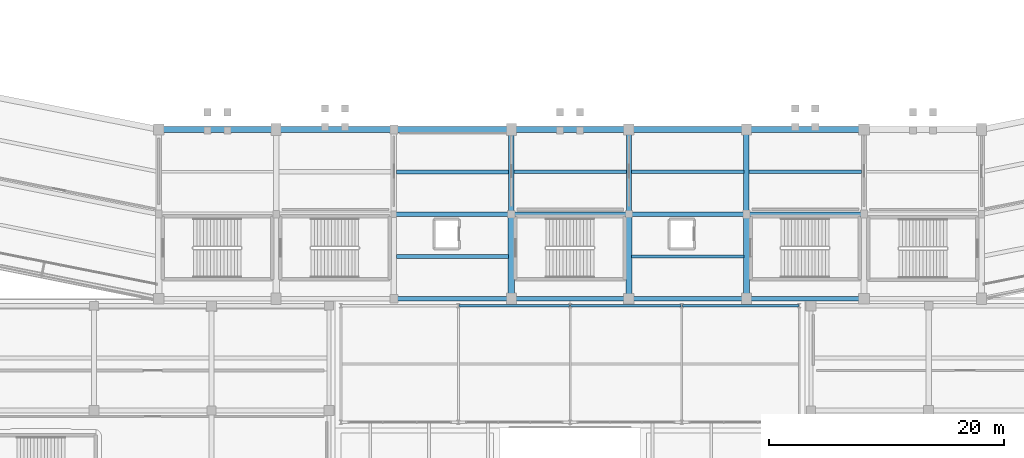
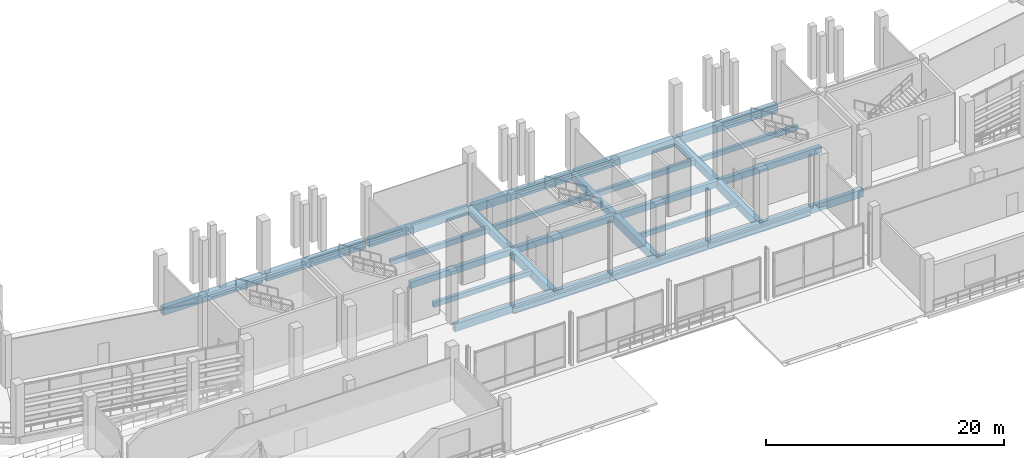
# One storey, part 24 of 114: 29 beams.
"""IFC4 building model written with IfcOpenShell, lengths in metres."""

from ifc_helpers import new_model, si_unit, direction, frame, origin, origin_2d, place, context, subcontext, project, spatial, rectangle, i_section, extrude, material, material_profile, profile_set, type_object, element, save


model = new_model("IFC4")

# Units and contexts
model_context = context("Model", 3, precision=1e-05, world=origin(), true_north=direction((0.0, 1.0)))
body_context = subcontext(model_context, "Body", "Model", "MODEL_VIEW")
ifc_project = project(units=[si_unit("LENGTHUNIT", "METRE"), si_unit("AREAUNIT", "SQUARE_METRE"), si_unit("VOLUMEUNIT", "CUBIC_METRE"), si_unit("PLANEANGLEUNIT", "RADIAN"), si_unit("MASSUNIT", "GRAM", prefix="KILO")], contexts=[model_context])

# Site, building, storey
site_placement = place(None, origin())
site = spatial("IfcSite", under=ifc_project, at=site_placement, CompositionType="ELEMENT")
building_placement = place(site_placement, origin())
building = spatial("IfcBuilding", under=site, at=building_placement, Name="Candeia Ridge Stadium", CompositionType="ELEMENT")
storey_placement = place(building_placement, frame((0.0, 0.0, 5.39990234375)))
storey = spatial("IfcBuildingStorey", under=building, at=storey_placement, Name="L01", CompositionType="ELEMENT", Elevation=5.39990234375)

# Beams
ifc_material_1 = material(Name="Concrete C45/55", Category="concrete")
ifc_material_profile_1 = material_profile(ifc_material_1, rectangle(XDim=0.449951171875, YDim=0.75, at=origin_2d()), Name="RC450x750", Category="concrete")
ifc_profile_set_1 = profile_set([ifc_material_profile_1], Name="Concrete C45/55")
beam_type_1 = type_object("IfcBeamType", Name="Bowl Radial Girder RC450x750", PredefinedType="BEAM", material=ifc_profile_set_1)
beam_1_placement = place(storey_placement, frame((111.0, 33.239990234375, -0.635009765625), z_axis=(0.0, -1.0, 0.0), x_axis=(1.0, 0.0, 0.0)))
element("IfcBeam", 1, at=beam_1_placement, inside=storey, type_object=beam_type_1, Name="Bowl radial girder BM-L01-0045", PredefinedType="BEAM", context=body_context, shape_type="SweptSolid", body=[
    extrude(rectangle(XDim=0.449951171875, YDim=0.75, at=origin_2d()), origin(), (0.0, 0.0, 1.0), 6.8798828125),
])
ifc_material_2 = material(Name="Concrete C40/50", Category="concrete")
ifc_material_profile_2 = material_profile(ifc_material_2, rectangle(XDim=0.280029296875, YDim=0.4599609375, at=origin_2d()), Name="RC280x460", Category="concrete")
ifc_profile_set_2 = profile_set([ifc_material_profile_2], Name="Concrete C40/50")
beam_type_2 = type_object("IfcBeamType", Name="Floor Joist RC280x460", PredefinedType="JOIST", material=ifc_profile_set_2)
beam_2_placement = place(storey_placement, frame((111.221923828125, 22.60009765625, -0.489990234375), z_axis=(1.0, 0.0, 0.0), x_axis=(0.0, 1.0, 0.0)))
element("IfcBeam", 2, at=beam_2_placement, inside=storey, type_object=beam_type_2, Name="Concourse secondary joist BM-L01-0179", PredefinedType="JOIST", context=body_context, shape_type="SweptSolid", body=[
    extrude(rectangle(XDim=0.280029296875, YDim=0.4599609375, at=origin_2d()), origin(), (0.0, 0.0, 1.0), 9.55615234375),
])
ifc_material_profile_3 = material_profile(ifc_material_2, rectangle(XDim=0.31005859375, YDim=0.489990234375, at=origin_2d()), Name="RC310x490", Category="concrete")
ifc_profile_set_3 = profile_set([ifc_material_profile_3], Name="Concrete C40/50")
beam_type_3 = type_object("IfcBeamType", Name="Floor Joist RC310x490", PredefinedType="JOIST", material=ifc_profile_set_3)
beam_3_placement = place(storey_placement, frame((121.221923828125, 29.800048828125, -0.5048828125), z_axis=(1.0, 0.0, 0.0), x_axis=(0.0, 1.0, 0.0)))
element("IfcBeam", 3, at=beam_3_placement, inside=storey, type_object=beam_type_3, Name="Concourse secondary joist BM-L01-0183", PredefinedType="JOIST", context=body_context, shape_type="SweptSolid", body=[
    extrude(rectangle(XDim=0.31005859375, YDim=0.489990234375, at=origin_2d()), origin(), (0.0, 0.0, 1.0), 9.55615234375),
])
ifc_material_profile_4 = material_profile(ifc_material_2, rectangle(XDim=0.320068359375, YDim=0.52001953125, at=origin_2d()), Name="RC320x520", Category="concrete")
ifc_profile_set_4 = profile_set([ifc_material_profile_4], Name="Concrete C40/50")
beam_type_4 = type_object("IfcBeamType", Name="Floor Joist RC320x520", PredefinedType="JOIST", material=ifc_profile_set_4)
beam_4_placement = place(storey_placement, frame((101.221923828125, 29.800048828125, -0.52001953125), z_axis=(1.0, 0.0, 0.0), x_axis=(0.0, 1.0, 0.0)))
element("IfcBeam", 4, at=beam_4_placement, inside=storey, type_object=beam_type_4, Name="Concourse secondary joist BM-L01-0174", PredefinedType="JOIST", context=body_context, shape_type="SweptSolid", body=[
    extrude(rectangle(XDim=0.320068359375, YDim=0.52001953125, at=origin_2d()), origin(), (0.0, 0.0, 1.0), 9.55615234375),
])
ifc_material_profile_5 = material_profile(ifc_material_2, rectangle(XDim=0.330078125, YDim=0.530029296875, at=origin_2d()), Name="RC330x530", Category="concrete")
ifc_profile_set_5 = profile_set([ifc_material_profile_5], Name="Concrete C40/50")
beam_type_5 = type_object("IfcBeamType", Name="Floor Joist RC330x530", PredefinedType="JOIST", material=ifc_profile_set_5)
beam_5_placement = place(storey_placement, frame((111.221923828125, 29.800048828125, -0.52490234375), z_axis=(1.0, 0.0, 0.0), x_axis=(0.0, 1.0, 0.0)))
element("IfcBeam", 5, at=beam_5_placement, inside=storey, type_object=beam_type_5, Name="Concourse secondary joist BM-L01-0178", PredefinedType="JOIST", context=body_context, shape_type="SweptSolid", body=[
    extrude(rectangle(XDim=0.330078125, YDim=0.530029296875, at=origin_2d()), origin(), (0.0, 0.0, 1.0), 9.55615234375),
])
ifc_material_profile_6 = material_profile(ifc_material_2, rectangle(XDim=0.340087890625, YDim=0.5400390625, at=origin_2d()), Name="RC340x540", Category="concrete")
ifc_profile_set_6 = profile_set([ifc_material_profile_6], Name="Concrete C40/50")
beam_type_6 = type_object("IfcBeamType", Name="Floor Joist RC340x540", PredefinedType="JOIST", material=ifc_profile_set_6)
beam_6_placement = place(storey_placement, frame((91.221923828125, 29.800048828125, -0.52978515625), z_axis=(1.0, 0.0, 0.0), x_axis=(0.0, 1.0, 0.0)))
element("IfcBeam", 6, at=beam_6_placement, inside=storey, type_object=beam_type_6, Name="Concourse secondary joist BM-L01-0169", PredefinedType="JOIST", context=body_context, shape_type="SweptSolid", body=[
    extrude(rectangle(XDim=0.340087890625, YDim=0.5400390625, at=origin_2d()), origin(), (0.0, 0.0, 1.0), 9.55615234375),
])
ifc_material_profile_7 = material_profile(ifc_material_2, rectangle(XDim=0.35009765625, YDim=0.5, at=origin_2d()), Name="RC350x500", Category="concrete")
ifc_profile_set_7 = profile_set([ifc_material_profile_7], Name="Concrete C40/50")
beam_type_7 = type_object("IfcBeamType", Name="Floor Joist RC350x500", PredefinedType="JOIST", material=ifc_profile_set_7)
beam_7_placement = place(storey_placement, frame((91.221923828125, 22.60009765625, -0.510009765625), z_axis=(1.0, 0.0, 0.0), x_axis=(0.0, 1.0, 0.0)))
element("IfcBeam", 7, at=beam_7_placement, inside=storey, type_object=beam_type_7, Name="Concourse secondary joist BM-L01-0170", PredefinedType="JOIST", context=body_context, shape_type="SweptSolid", body=[
    extrude(rectangle(XDim=0.35009765625, YDim=0.5, at=origin_2d()), origin(), (0.0, 0.0, 1.0), 9.55615234375),
])
ifc_material_profile_8 = material_profile(ifc_material_2, rectangle(XDim=0.4599609375, YDim=0.780029296875, at=origin_2d()), Name="RC460x780", Category="concrete")
ifc_profile_set_8 = profile_set([ifc_material_profile_8], Name="Concrete C40/50")
beam_type_8 = type_object("IfcBeamType", Name="Frame Girder RC460x780", PredefinedType="BEAM", material=ifc_profile_set_8)
beam_8_placement = place(storey_placement, frame((101.0, 33.239990234375, -0.64990234375), z_axis=(0.0, -1.0, 0.0), x_axis=(1.0, 0.0, 0.0)))
element("IfcBeam", 8, at=beam_8_placement, inside=storey, type_object=beam_type_8, Name="Bowl radial girder BM-L01-0043", PredefinedType="BEAM", context=body_context, shape_type="SweptSolid", body=[
    extrude(rectangle(XDim=0.4599609375, YDim=0.780029296875, at=origin_2d()), origin(), (0.0, 0.0, 1.0), 6.8798828125),
])
ifc_material_profile_9 = material_profile(ifc_material_2, rectangle(XDim=0.469970703125, YDim=0.760009765625, at=origin_2d()), Name="RC470x760", Category="concrete")
ifc_profile_set_9 = profile_set([ifc_material_profile_9], Name="Concrete C40/50")
beam_type_9 = type_object("IfcBeamType", Name="Frame Girder RC470x760", PredefinedType="BEAM", material=ifc_profile_set_9)
beam_9_placement = place(storey_placement, frame((121.0, 33.239990234375, -0.639892578125), z_axis=(0.0, -1.0, 0.0), x_axis=(1.0, 0.0, 0.0)))
element("IfcBeam", 9, at=beam_9_placement, inside=storey, type_object=beam_type_9, Name="Bowl radial girder BM-L01-0047", PredefinedType="BEAM", context=body_context, shape_type="SweptSolid", body=[
    extrude(rectangle(XDim=0.469970703125, YDim=0.760009765625, at=origin_2d()), origin(), (0.0, 0.0, 1.0), 6.8798828125),
])
ifc_material_profile_10 = material_profile(ifc_material_2, rectangle(XDim=0.5, YDim=0.800048828125, at=origin_2d()), Name="RC500x800", Category="concrete")
ifc_profile_set_10 = profile_set([ifc_material_profile_10], Name="Concrete C40/50")
beam_type_10 = type_object("IfcBeamType", Name="Frame Girder RC500x800", PredefinedType="BEAM", material=ifc_profile_set_10)
for number, where, z_axis, x_axis, name in (
    (10, (71.159912109375, 33.39990234375, -0.659912109375), (1.0, 0.0, 0.0), (0.0, 1.0, 0.0), "Bowl inner ring girder BM-L01-0158"),
    (11, (81.159912109375, 33.39990234375, -0.659912109375), (1.0, 0.0, 0.0), (0.0, 1.0, 0.0), "Bowl inner ring girder BM-L01-0162"),
    (12, (91.159912109375, 33.39990234375, -0.659912109375), (1.0, 0.0, 0.0), (0.0, 1.0, 0.0), "Bowl inner ring girder BM-L01-0166"),
    (13, (101.159912109375, 33.39990234375, -0.659912109375), (1.0, 0.0, 0.0), (0.0, 1.0, 0.0), "Bowl inner ring girder BM-L01-0171"),
    (14, (111.159912109375, 33.39990234375, -0.659912109375), (1.0, 0.0, 0.0), (0.0, 1.0, 0.0), "Bowl inner ring girder BM-L01-0175"),
    (15, (121.159912109375, 33.39990234375, -0.659912109375), (1.0, 0.0, 0.0), (0.0, 1.0, 0.0), "Bowl inner ring girder BM-L01-0180"),
):
    element("IfcBeam", number, at=place(storey_placement, frame(where, z_axis=z_axis, x_axis=x_axis)), inside=storey, type_object=beam_type_10, Name=name, PredefinedType="BEAM", context=body_context, shape_type="SweptSolid", body=[
        extrude(rectangle(XDim=0.5, YDim=0.800048828125, at=origin_2d()), origin(), (0.0, 0.0, 1.0), 9.68017578125),
    ])
ifc_material_profile_11 = material_profile(ifc_material_1, rectangle(XDim=0.5, YDim=0.85009765625, at=origin_2d()), Name="RC500x850", Category="concrete")
ifc_profile_set_11 = profile_set([ifc_material_profile_11], Name="Concrete C45/55")
beam_type_11 = type_object("IfcBeamType", Name="Frame Girder RC500x850", PredefinedType="BEAM", material=ifc_profile_set_11)
beam_10_placement = place(storey_placement, frame((121.0, 26.0400390625, -0.684814453125), z_axis=(0.0, -1.0, 0.0), x_axis=(1.0, 0.0, 0.0)))
element("IfcBeam", 16, at=beam_10_placement, inside=storey, type_object=beam_type_11, Name="Bowl radial girder BM-L01-0048", PredefinedType="BEAM", context=body_context, shape_type="SweptSolid", body=[
    extrude(rectangle(XDim=0.5, YDim=0.85009765625, at=origin_2d()), origin(), (0.0, 0.0, 1.0), 6.880126953125),
])
ifc_material_profile_12 = material_profile(ifc_material_1, rectangle(XDim=0.52001953125, YDim=0.8798828125, at=origin_2d()), Name="RC520x880", Category="concrete")
ifc_profile_set_12 = profile_set([ifc_material_profile_12], Name="Concrete C45/55")
beam_type_12 = type_object("IfcBeamType", Name="Frame Girder RC520x880", PredefinedType="BEAM", material=ifc_profile_set_12)
beam_11_placement = place(storey_placement, frame((111.0, 26.0400390625, -0.699951171875), z_axis=(0.0, -1.0, 0.0), x_axis=(1.0, 0.0, 0.0)))
element("IfcBeam", 17, at=beam_11_placement, inside=storey, type_object=beam_type_12, Name="Bowl radial girder BM-L01-0046", PredefinedType="BEAM", context=body_context, shape_type="SweptSolid", body=[
    extrude(rectangle(XDim=0.52001953125, YDim=0.8798828125, at=origin_2d()), origin(), (0.0, 0.0, 1.0), 6.880126953125),
])
ifc_material_profile_13 = material_profile(ifc_material_1, rectangle(XDim=0.550048828125, YDim=0.919921875, at=origin_2d()), Name="RC550x920", Category="concrete")
ifc_profile_set_13 = profile_set([ifc_material_profile_13], Name="Concrete C45/55")
beam_type_13 = type_object("IfcBeamType", Name="Frame Girder RC550x920", PredefinedType="BEAM", material=ifc_profile_set_13)
beam_12_placement = place(storey_placement, frame((101.0, 26.0400390625, -0.719970703125), z_axis=(0.0, -1.0, 0.0), x_axis=(1.0, 0.0, 0.0)))
element("IfcBeam", 18, at=beam_12_placement, inside=storey, type_object=beam_type_13, Name="Bowl radial girder BM-L01-0044", PredefinedType="BEAM", context=body_context, shape_type="SweptSolid", body=[
    extrude(rectangle(XDim=0.550048828125, YDim=0.919921875, at=origin_2d()), origin(), (0.0, 0.0, 1.0), 6.880126953125),
])
ifc_material_3 = material(Name="Steel ASTM A572 Grade 50", Category="steel")
ifc_material_profile_14 = material_profile(ifc_material_3, i_section(OverallWidth=0.208984375, OverallDepth=0.532958984375, WebThickness=0.01025390625, FlangeThickness=0.015625, FilletRadius=0.013916015625, at=origin_2d()), Name="W530x92", Category="steel")
ifc_profile_set_14 = profile_set([ifc_material_profile_14], Name="Steel ASTM A572 Grade 50")
beam_type_14 = type_object("IfcBeamType", Name="Gate Portal Girder W530x92", PredefinedType="BEAM", material=ifc_profile_set_14)
for number, where, z_axis, x_axis, name in (
    (19, (96.550048828125, 18.39990234375, -0.5263671875), (1.0, 0.0, 0.0), (0.0, 1.0, 0.0), "Structural girder BM-L01-2028"),
    (20, (106.050048828125, 18.39990234375, -0.5263671875), (1.0, 0.0, 0.0), (0.0, 1.0, 0.0), "Structural girder BM-L01-2031"),
):
    element("IfcBeam", number, at=place(storey_placement, frame(where, z_axis=z_axis, x_axis=x_axis)), inside=storey, type_object=beam_type_14, Name=name, PredefinedType="BEAM", context=body_context, shape_type="SweptSolid", body=[
        extrude(i_section(OverallWidth=0.208984375, OverallDepth=0.532958984375, WebThickness=0.01025390625, FlangeThickness=0.015625, FilletRadius=0.013916015625, at=origin_2d()), origin(), (0.0, 0.0, 1.0), 9.39990234375),
    ])
beam_13_placement = place(storey_placement, frame((115.550048828125, 18.39990234375, -0.5263671875), z_axis=(1.0, 0.0, 0.0), x_axis=(0.0, 1.0, 0.0)))
element("IfcBeam", 21, at=beam_13_placement, inside=storey, type_object=beam_type_14, Name="Structural girder BM-L01-2034", PredefinedType="BEAM", context=body_context, shape_type="SweptSolid", body=[
    extrude(i_section(OverallWidth=0.208984375, OverallDepth=0.532958984375, WebThickness=0.01025390625, FlangeThickness=0.015625, FilletRadius=0.013916015625, at=origin_2d()), origin(), (0.0, 0.0, 1.0), 9.89990234375),
])
ifc_material_profile_15 = material_profile(ifc_material_1, rectangle(XDim=0.3798828125, YDim=0.780029296875, at=origin_2d()), Name="RC380x780", Category="concrete")
ifc_profile_set_15 = profile_set([ifc_material_profile_15], Name="Concrete C45/55")
beam_type_15 = type_object("IfcBeamType", Name="Spandrel Beam RC380x780", PredefinedType="SPANDREL", material=ifc_profile_set_15)
for number, where, z_axis, x_axis, name in (
    (22, (91.159912109375, 19.0, -0.64990234375), (1.0, 0.0, 0.0), (0.0, 1.0, 0.0), "Bowl perimeter spandrel BM-L01-0168"),
    (23, (101.159912109375, 19.0, -0.64990234375), (1.0, 0.0, 0.0), (0.0, 1.0, 0.0), "Bowl perimeter spandrel BM-L01-0173"),
    (24, (111.159912109375, 19.0, -0.64990234375), (1.0, 0.0, 0.0), (0.0, 1.0, 0.0), "Bowl perimeter spandrel BM-L01-0177"),
    (25, (121.159912109375, 19.0, -0.64990234375), (1.0, 0.0, 0.0), (0.0, 1.0, 0.0), "Bowl perimeter spandrel BM-L01-0182"),
):
    element("IfcBeam", number, at=place(storey_placement, frame(where, z_axis=z_axis, x_axis=x_axis)), inside=storey, type_object=beam_type_15, Name=name, PredefinedType="SPANDREL", context=body_context, shape_type="SweptSolid", body=[
        extrude(rectangle(XDim=0.3798828125, YDim=0.780029296875, at=origin_2d()), origin(), (0.0, 0.0, 1.0), 9.68017578125),
    ])
ifc_material_profile_16 = material_profile(ifc_material_2, rectangle(XDim=0.39990234375, YDim=0.64990234375, at=origin_2d()), Name="RC400x650", Category="concrete")
ifc_profile_set_16 = profile_set([ifc_material_profile_16], Name="Concrete C40/50")
beam_type_16 = type_object("IfcBeamType", Name="Wing Primary Girder RC400x650", PredefinedType="BEAM", material=ifc_profile_set_16)
for number, where, z_axis, x_axis, name in (
    (26, (91.050048828125, 26.199951171875, -0.5849609375), (1.0, 0.0, 0.0), (0.0, 1.0, 0.0), "Concourse spine girder BM-L01-0167"),
    (27, (101.050048828125, 26.199951171875, -0.5849609375), (1.0, 0.0, 0.0), (0.0, 1.0, 0.0), "Concourse spine girder BM-L01-0172"),
    (28, (111.050048828125, 26.199951171875, -0.5849609375), (1.0, 0.0, 0.0), (0.0, 1.0, 0.0), "Concourse spine girder BM-L01-0176"),
    (29, (121.050048828125, 26.199951171875, -0.5849609375), (1.0, 0.0, 0.0), (0.0, 1.0, 0.0), "Concourse spine girder BM-L01-0181"),
):
    element("IfcBeam", number, at=place(storey_placement, frame(where, z_axis=z_axis, x_axis=x_axis)), inside=storey, type_object=beam_type_16, Name=name, PredefinedType="BEAM", context=body_context, shape_type="SweptSolid", body=[
        extrude(rectangle(XDim=0.39990234375, YDim=0.64990234375, at=origin_2d()), origin(), (0.0, 0.0, 1.0), 9.89990234375),
    ])

save(model, "model.ifc")
